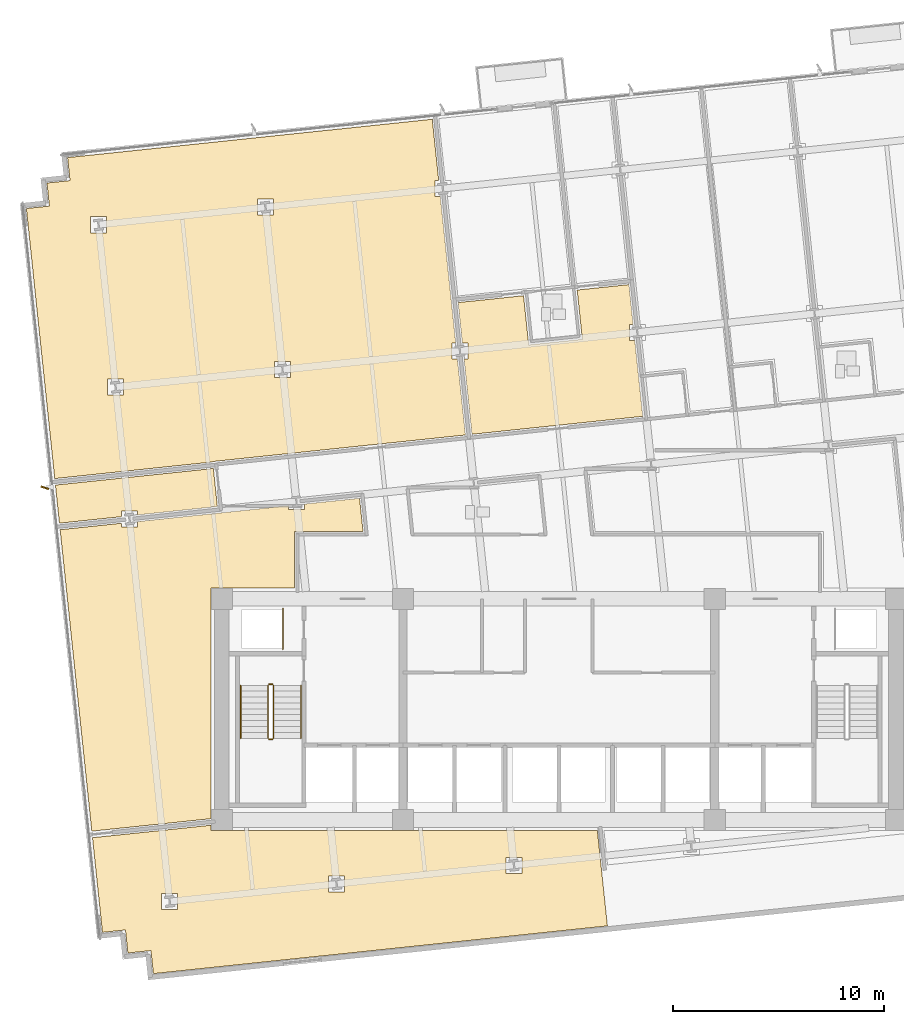
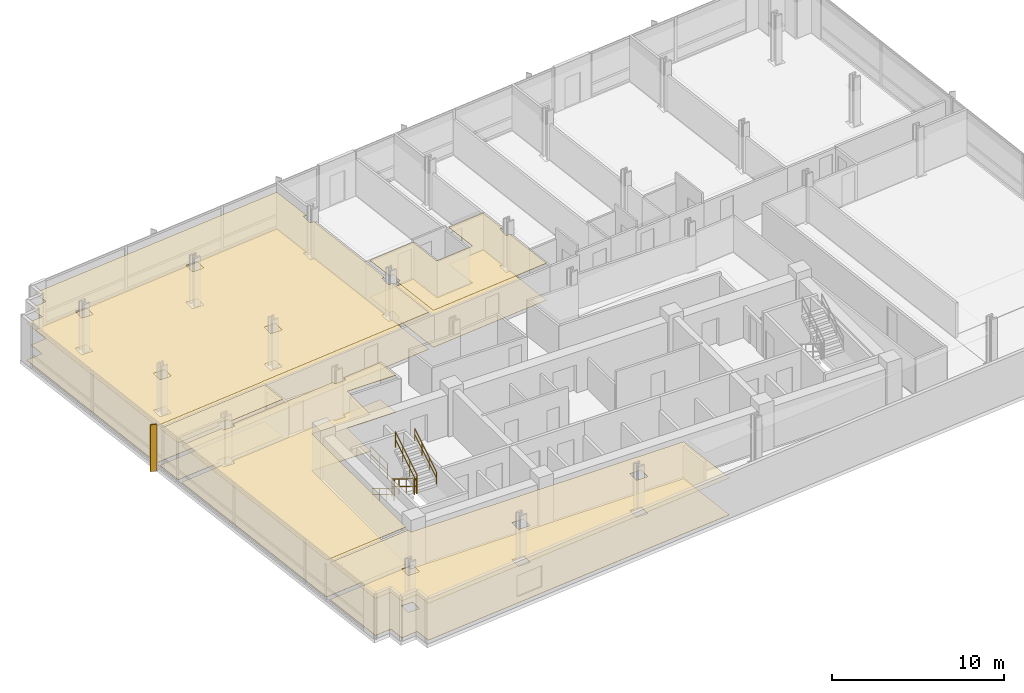
# One storey, part 14 of 17: 10 coverings, 7 railings, 1 shading device.
"""IFC4 building model written with IfcOpenShell, lengths in metres."""

from ifc_helpers import new_model, si_unit, direction, frame, origin, origin_2d, place, context, subcontext, project, spatial, polyline, rectangle, circle, outline, extrude, material, layer, layer_set, type_object, element, save


model = new_model("IFC4")

# Units and contexts
model_context = context("Model", 3, precision=1e-05, world=origin(), true_north=direction((0.0, 1.0)))
body_context = subcontext(model_context, "Body", "Model", "MODEL_VIEW")
ifc_project = project(units=[si_unit("LENGTHUNIT", "METRE"), si_unit("AREAUNIT", "SQUARE_METRE"), si_unit("VOLUMEUNIT", "CUBIC_METRE"), si_unit("PLANEANGLEUNIT", "RADIAN"), si_unit("MASSUNIT", "GRAM", prefix="KILO")], contexts=[model_context])

# Site, building, storey
site_placement = place(None, origin())
site = spatial("IfcSite", under=ifc_project, at=site_placement, CompositionType="ELEMENT")
building_placement = place(site_placement, origin())
building = spatial("IfcBuilding", under=site, at=building_placement, Name="Solmavex Isthmus Hotel", CompositionType="ELEMENT")
storey_placement = place(building_placement, frame((0.0, 0.0, 93.89990234375)))
storey = spatial("IfcBuildingStorey", under=building, at=storey_placement, Name="L25", CompositionType="ELEMENT", Elevation=93.89990234375)

# Coverings
ifc_material_1 = material(Name="Gypsum plasterboard lining", Category="gypsum")
ifc_layer_1 = layer(ifc_material_1, 0.030029296875)
ifc_layer_set_1 = layer_set([ifc_layer_1], Name="Gypsum plasterboard lining")
covering_type_1 = type_object("IfcCoveringType", Name="COV-CEIL-GYP", PredefinedType="CEILING", material=ifc_layer_set_1)
covering_1_placement = place(storey_placement, frame((0.0, 0.0, 2.6201171875)))
element("IfcCovering", 1, at=covering_1_placement, inside=storey, type_object=covering_type_1, Name="Suspended Acoustic Ceiling L25-RM01", PredefinedType="CEILING", context=body_context, shape_type="SweptSolid", body=[
    extrude(outline(polyline([(-16.43212890625, 3.99853515625), (-16.43408203125, 4.0185546875), (-4.434326171875, 5.27978515625), (-4.8134765625, 8.886962890625), (-5.077392578125, 8.886962890625), (-5.077392578125, 9.64697265625), (-4.893310546875, 9.64697265625), (-5.623779296875, 16.5966796875), (-5.8876953125, 16.5966796875), (-5.8876953125, 17.356689453125), (-5.70361328125, 17.356689453125), (-6.009521484375, 20.26708984375), (-22.49755859375, 18.5341796875), (-23.318115234375, 18.447998046875), (-23.203125, 17.35400390625), (-24.297119140625, 17.239013671875), (-24.18212890625, 16.14501953125), (-25.276123046875, 16.030029296875), (-25.18994140625, 15.20947265625), (-23.9287109375, 3.210693359375), (-16.43212890625, 3.99853515625)]), holes=[polyline([(-13.4970703125, 8.002197265625), (-13.4970703125, 8.76220703125), (-12.737060546875, 8.76220703125), (-12.737060546875, 8.002197265625), (-13.4970703125, 8.002197265625)]), polyline([(-14.307373046875, 16.4716796875), (-13.54736328125, 16.4716796875), (-13.54736328125, 15.711669921875), (-14.307373046875, 15.711669921875), (-14.307373046875, 16.4716796875)]), polyline([(-21.42138671875, 7.169189453125), (-21.42138671875, 7.92919921875), (-20.661376953125, 7.92919921875), (-20.661376953125, 7.169189453125), (-21.42138671875, 7.169189453125)]), polyline([(-22.231689453125, 14.878662109375), (-22.231689453125, 15.638671875), (-21.4716796875, 15.638671875), (-21.4716796875, 14.878662109375), (-22.231689453125, 14.878662109375)])]), origin(), (0.0, 0.0, 1.0), 0.030029296875),
])
covering_2_placement = place(storey_placement, frame((0.0, 0.0, 2.6201171875)))
element("IfcCovering", 2, at=covering_2_placement, inside=storey, type_object=covering_type_1, Name="Suspended Acoustic Ceiling L25-ST02-FY", PredefinedType="CEILING", context=body_context, shape_type="SweptSolid", body=[
    extrude(outline(polyline([(-4.58154296875, 9.64697265625), (-4.3173828125, 9.64697265625), (-4.3173828125, 8.886962890625), (-4.501708984375, 8.886962890625), (-4.1259765625, 5.31201171875), (-1.164306640625, 5.62353515625), (-0.57666015625, 5.68505859375), (3.9853515625, 6.16455078125), (3.606201171875, 9.77197265625), (3.34228515625, 9.77197265625), (3.34228515625, 10.531982421875), (3.5263671875, 10.531982421875), (3.328125, 12.418212890625), (0.86865234375, 12.15966796875), (1.1142578125, 9.822509765625), (-1.431640625, 9.554931640625), (-1.67724609375, 11.89208984375), (-4.783203125, 11.565673828125), (-4.58154296875, 9.64697265625)])), origin(), (0.0, 0.0, 1.0), 0.030029296875),
])
covering_3_placement = place(storey_placement, frame((0.0, 0.0, 2.6201171875)))
element("IfcCovering", 3, at=covering_3_placement, inside=storey, type_object=covering_type_1, Name="Suspended Acoustic Ceiling L25-FL09", PredefinedType="CEILING", context=body_context, shape_type="SweptSolid", body=[
    extrude(outline(polyline([(-16.20947265625, 1.88037109375), (-16.399658203125, 3.690185546875), (-23.896240234375, 2.90234375), (-23.7060546875, 1.09228515625), (-20.76318359375, 1.401611328125), (-20.76318359375, 1.665771484375), (-20.003173828125, 1.665771484375), (-20.003173828125, 1.4814453125), (-16.20947265625, 1.88037109375)])), origin(), (0.0, 0.0, 1.0), 0.030029296875),
])
covering_4_placement = place(storey_placement, frame((0.0, 0.0, 2.6201171875)))
element("IfcCovering", 4, at=covering_4_placement, inside=storey, type_object=covering_type_1, Name="Suspended Acoustic Ceiling L25-FL10", PredefinedType="CEILING", context=body_context, shape_type="SweptSolid", body=[
    extrude(outline(polyline([(-20.003173828125, 1.169921875), (-20.003173828125, 0.90576171875), (-20.76318359375, 0.90576171875), (-20.76318359375, 1.08984375), (-23.673583984375, 0.783935546875), (-22.780517578125, -7.714111328125), (-22.16943359375, -13.527099609375), (-16.5048828125, -12.931884765625), (-16.5048828125, -1.9951171875), (-12.554931640625, -1.9951171875), (-12.554931640625, 0.705078125), (-9.295654296875, 0.705078125), (-9.4609375, 2.27783203125), (-12.078857421875, 2.002685546875), (-12.078857421875, 1.738525390625), (-12.8388671875, 1.738525390625), (-12.8388671875, 1.9228515625), (-20.003173828125, 1.169921875)])), origin(), (0.0, 0.0, 1.0), 0.030029296875),
])
covering_5_placement = place(storey_placement, frame((0.0, 0.0, 2.6201171875)))
element("IfcCovering", 5, at=covering_5_placement, inside=storey, type_object=covering_type_1, Name="Suspended Acoustic Ceiling L25-FL11", PredefinedType="CEILING", context=body_context, shape_type="SweptSolid", body=[
    extrude(outline(polyline([(-18.42626953125, -20.202392578125), (-5.99462890625, -18.895751953125), (2.304443359375, -18.0234375), (2.019775390625, -15.3134765625), (1.82958984375, -13.5048828125), (-16.5048828125, -13.5048828125), (-16.5048828125, -13.243408203125), (-22.13720703125, -13.83544921875), (-21.7509765625, -17.51025390625), (-21.719482421875, -17.80859375), (-21.66455078125, -18.33056640625), (-20.57080078125, -18.2158203125), (-20.455810546875, -19.3095703125), (-19.36181640625, -19.194580078125), (-19.246826171875, -20.28857421875), (-18.42626953125, -20.202392578125)]), holes=[polyline([(-2.511474609375, -15.5263671875), (-2.511474609375, -14.766357421875), (-1.75146484375, -14.766357421875), (-1.75146484375, -15.5263671875), (-2.511474609375, -15.5263671875)]), polyline([(-10.93115234375, -16.411376953125), (-10.93115234375, -15.6513671875), (-10.171142578125, -15.6513671875), (-10.171142578125, -16.411376953125), (-10.93115234375, -16.411376953125)]), polyline([(-18.85546875, -17.244384765625), (-18.85546875, -16.484375), (-18.095458984375, -16.484375), (-18.095458984375, -17.244384765625), (-18.85546875, -17.244384765625)])]), origin(), (0.0, 0.0, 1.0), 0.030029296875),
])
ifc_material_2 = material(Name="Travertine natural stone", Category="masonry")
ifc_layer_2 = layer(ifc_material_2, 0.02490234375)
ifc_layer_set_2 = layer_set([ifc_layer_2], Name="Travertine natural stone")
covering_type_2 = type_object("IfcCoveringType", Name="COV-FLOR-STN", PredefinedType="FLOORING", material=ifc_layer_set_2)
covering_6_placement = place(storey_placement, origin())
element("IfcCovering", 6, at=covering_6_placement, inside=storey, type_object=covering_type_2, Name="Stone and Timber Floor Finish L25-RM01", PredefinedType="FLOORING", context=body_context, shape_type="SweptSolid", body=[
    extrude(outline(polyline([(-16.43212890625, 3.99853515625), (-16.43408203125, 4.0185546875), (-4.434326171875, 5.27978515625), (-4.8134765625, 8.886962890625), (-5.077392578125, 8.886962890625), (-5.077392578125, 9.64697265625), (-4.893310546875, 9.64697265625), (-5.623779296875, 16.5966796875), (-5.8876953125, 16.5966796875), (-5.8876953125, 17.356689453125), (-5.70361328125, 17.356689453125), (-6.009521484375, 20.26708984375), (-22.49755859375, 18.5341796875), (-23.318115234375, 18.447998046875), (-23.203125, 17.35400390625), (-24.297119140625, 17.239013671875), (-24.18212890625, 16.14501953125), (-25.276123046875, 16.030029296875), (-25.18994140625, 15.20947265625), (-23.9287109375, 3.210693359375), (-16.43212890625, 3.99853515625)]), holes=[polyline([(-13.4970703125, 8.002197265625), (-13.4970703125, 8.76220703125), (-12.737060546875, 8.76220703125), (-12.737060546875, 8.002197265625), (-13.4970703125, 8.002197265625)]), polyline([(-14.307373046875, 16.4716796875), (-13.54736328125, 16.4716796875), (-13.54736328125, 15.711669921875), (-14.307373046875, 15.711669921875), (-14.307373046875, 16.4716796875)]), polyline([(-21.42138671875, 7.169189453125), (-21.42138671875, 7.92919921875), (-20.661376953125, 7.92919921875), (-20.661376953125, 7.169189453125), (-21.42138671875, 7.169189453125)]), polyline([(-22.231689453125, 14.878662109375), (-22.231689453125, 15.638671875), (-21.4716796875, 15.638671875), (-21.4716796875, 14.878662109375), (-22.231689453125, 14.878662109375)])]), origin(), (0.0, 0.0, 1.0), 0.025146484375),
])
covering_7_placement = place(storey_placement, origin())
element("IfcCovering", 7, at=covering_7_placement, inside=storey, type_object=covering_type_2, Name="Stone and Timber Floor Finish L25-ST02-FY", PredefinedType="FLOORING", context=body_context, shape_type="SweptSolid", body=[
    extrude(outline(polyline([(-4.58154296875, 9.64697265625), (-4.3173828125, 9.64697265625), (-4.3173828125, 8.886962890625), (-4.501708984375, 8.886962890625), (-4.1259765625, 5.31201171875), (-1.164306640625, 5.62353515625), (-0.57666015625, 5.68505859375), (3.9853515625, 6.16455078125), (3.606201171875, 9.77197265625), (3.34228515625, 9.77197265625), (3.34228515625, 10.531982421875), (3.5263671875, 10.531982421875), (3.328125, 12.418212890625), (0.86865234375, 12.15966796875), (1.1142578125, 9.822509765625), (-1.431640625, 9.554931640625), (-1.67724609375, 11.89208984375), (-4.783203125, 11.565673828125), (-4.58154296875, 9.64697265625)])), origin(), (0.0, 0.0, 1.0), 0.025146484375),
])
covering_8_placement = place(storey_placement, origin())
element("IfcCovering", 8, at=covering_8_placement, inside=storey, type_object=covering_type_2, Name="Stone and Timber Floor Finish L25-FL09", PredefinedType="FLOORING", context=body_context, shape_type="SweptSolid", body=[
    extrude(outline(polyline([(-16.20947265625, 1.88037109375), (-16.399658203125, 3.690185546875), (-23.896240234375, 2.90234375), (-23.7060546875, 1.09228515625), (-20.76318359375, 1.401611328125), (-20.76318359375, 1.665771484375), (-20.003173828125, 1.665771484375), (-20.003173828125, 1.4814453125), (-16.20947265625, 1.88037109375)])), origin(), (0.0, 0.0, 1.0), 0.025146484375),
])
covering_9_placement = place(storey_placement, origin())
element("IfcCovering", 9, at=covering_9_placement, inside=storey, type_object=covering_type_2, Name="Stone and Timber Floor Finish L25-FL10", PredefinedType="FLOORING", context=body_context, shape_type="SweptSolid", body=[
    extrude(outline(polyline([(-20.003173828125, 1.169921875), (-20.003173828125, 0.90576171875), (-20.76318359375, 0.90576171875), (-20.76318359375, 1.08984375), (-23.673583984375, 0.783935546875), (-22.780517578125, -7.714111328125), (-22.16943359375, -13.527099609375), (-16.5048828125, -12.931884765625), (-16.5048828125, -1.9951171875), (-12.554931640625, -1.9951171875), (-12.554931640625, 0.705078125), (-9.295654296875, 0.705078125), (-9.4609375, 2.27783203125), (-12.078857421875, 2.002685546875), (-12.078857421875, 1.738525390625), (-12.8388671875, 1.738525390625), (-12.8388671875, 1.9228515625), (-20.003173828125, 1.169921875)])), origin(), (0.0, 0.0, 1.0), 0.025146484375),
])
covering_10_placement = place(storey_placement, origin())
element("IfcCovering", 10, at=covering_10_placement, inside=storey, type_object=covering_type_2, Name="Stone and Timber Floor Finish L25-FL11", PredefinedType="FLOORING", context=body_context, shape_type="SweptSolid", body=[
    extrude(outline(polyline([(-18.42626953125, -20.202392578125), (-5.99462890625, -18.895751953125), (2.304443359375, -18.0234375), (2.019775390625, -15.3134765625), (1.82958984375, -13.5048828125), (-16.5048828125, -13.5048828125), (-16.5048828125, -13.243408203125), (-22.13720703125, -13.83544921875), (-21.7509765625, -17.51025390625), (-21.719482421875, -17.80859375), (-21.66455078125, -18.33056640625), (-20.57080078125, -18.2158203125), (-20.455810546875, -19.3095703125), (-19.36181640625, -19.194580078125), (-19.246826171875, -20.28857421875), (-18.42626953125, -20.202392578125)]), holes=[polyline([(-2.511474609375, -15.5263671875), (-2.511474609375, -14.766357421875), (-1.75146484375, -14.766357421875), (-1.75146484375, -15.5263671875), (-2.511474609375, -15.5263671875)]), polyline([(-10.93115234375, -16.411376953125), (-10.93115234375, -15.6513671875), (-10.171142578125, -15.6513671875), (-10.171142578125, -16.411376953125), (-10.93115234375, -16.411376953125)]), polyline([(-18.85546875, -17.244384765625), (-18.85546875, -16.484375), (-18.095458984375, -16.484375), (-18.095458984375, -17.244384765625), (-18.85546875, -17.244384765625)])]), origin(), (0.0, 0.0, 1.0), 0.025146484375),
])

# Railings
ifc_material_3 = material(Name="Clear low-E laminated glass", Category="glass")
ifc_layer_3 = layer(ifc_material_3, 0.080078125)
ifc_layer_set_3 = layer_set([ifc_layer_3], Name="Clear low-E laminated glass")
railing_type_1 = type_object("IfcRailingType", Name="RAIL-ATRIUM-1120", PredefinedType="BALUSTRADE", material=ifc_layer_set_3)
railing_1_placement = place(storey_placement, frame((-13.10009765625, -4.89990234375, 0.0)))
element("IfcRailing", 11, at=railing_1_placement, inside=storey, type_object=railing_type_1, Name="Guardrail Balustrade L25-RSW-01", PredefinedType="BALUSTRADE", context=body_context, shape_type="SweptSolid", body=[
    extrude(circle(Radius=0.02392578125, at=origin_2d()), frame((0.0, 0.0, 1.1259765625), z_axis=(0.0, 1.0, 0.0), x_axis=(-1.0, 0.0, 0.0)), (0.0, 0.0, 1.0), 1.949951171875),
    extrude(circle(Radius=0.02392578125, at=origin_2d()), frame((0.0, 0.0, 0.574951171875), z_axis=(0.0, 1.0, 0.0), x_axis=(-1.0, 0.0, 0.0)), (0.0, 0.0, 1.0), 1.949951171875),
    extrude(circle(Radius=0.02099609375, at=origin_2d()), origin(), (0.0, 0.0, 1.0), 1.101806640625),
    extrude(circle(Radius=0.02099609375, at=origin_2d()), frame((0.0, 0.97509765625, 0.0)), (0.0, 0.0, 1.0), 1.101806640625),
    extrude(circle(Radius=0.02099609375, at=origin_2d()), frame((0.0, 1.949951171875, 0.0)), (0.0, 0.0, 1.0), 1.101806640625),
])
ifc_material_4 = material(Name="Stainless steel 316", Category="steel")
ifc_layer_4 = layer(ifc_material_4, 0.06005859375)
ifc_layer_set_4 = layer_set([ifc_layer_4], Name="Stainless steel 316")
railing_type_2 = type_object("IfcRailingType", Name="RAIL-STAIR-GD", PredefinedType="GUARDRAIL", material=ifc_layer_set_4)
railing_2_placement = place(storey_placement, frame((-13.800048828125, -6.60009765625, 0.172607421875)))
element("IfcRailing", 12, at=railing_2_placement, inside=storey, type_object=railing_type_2, Name="L25 ST-1 stair guard 1", PredefinedType="GUARDRAIL", context=body_context, shape_type="SweptSolid", body=[
    extrude(circle(Radius=0.02392578125, at=origin_2d()), frame((0.0, 0.0, 1.09619140625), z_axis=(0.0, -0.851400495292, 0.524516154772), x_axis=(1.0, 0.0, 0.0)), (0.0, 0.0, 1.0), 2.9599609375),
    extrude(circle(Radius=0.02392578125, at=origin_2d()), frame((0.0, 0.0, 0.56005859375), z_axis=(0.0, -0.851400495292, 0.524516154772), x_axis=(1.0, 0.0, 0.0)), (0.0, 0.0, 1.0), 2.9599609375),
    extrude(circle(Radius=0.02099609375, at=origin_2d()), origin(), (0.0, 0.0, 1.0), 1.072021484375),
    extrude(circle(Radius=0.02099609375, at=origin_2d()), frame((0.0, -0.840087890625, 0.517578125)), (0.0, 0.0, 1.0), 1.072021484375),
    extrude(circle(Radius=0.02099609375, at=origin_2d()), frame((0.0, -1.679931640625, 1.034912109375)), (0.0, 0.0, 1.0), 1.072021484375),
    extrude(circle(Radius=0.02099609375, at=origin_2d()), frame((0.0, -2.52001953125, 1.552490234375)), (0.0, 0.0, 1.0), 1.072021484375),
])
railing_3_placement = place(storey_placement, frame((-13.75, -9.169921875, 1.72509765625)))
element("IfcRailing", 13, at=railing_3_placement, inside=storey, type_object=railing_type_2, Name="L25 ST-1 stair guard 2", PredefinedType="GUARDRAIL", context=body_context, shape_type="SweptSolid", body=[
    extrude(circle(Radius=0.02392578125, at=origin_2d()), frame((0.0, 0.0, 1.09619140625), z_axis=(1.0, 0.0, 0.0), x_axis=(0.0, 1.0, 0.0)), (0.0, 0.0, 1.0), 0.14990234375),
    extrude(circle(Radius=0.02392578125, at=origin_2d()), frame((0.0, 0.0, 0.56005859375), z_axis=(1.0, 0.0, 0.0), x_axis=(0.0, 1.0, 0.0)), (0.0, 0.0, 1.0), 0.14990234375),
    extrude(circle(Radius=0.02099609375, at=origin_2d()), origin(), (0.0, 0.0, 1.0), 1.072021484375),
    extrude(circle(Radius=0.02099609375, at=origin_2d()), frame((0.14990234375, 0.0, 0.0)), (0.0, 0.0, 1.0), 1.072021484375),
])
railing_4_placement = place(storey_placement, frame((-13.550048828125, -9.1201171875, 1.897705078125)))
element("IfcRailing", 14, at=railing_4_placement, inside=storey, type_object=railing_type_2, Name="L25 ST-1 stair guard 3", PredefinedType="GUARDRAIL", context=body_context, shape_type="SweptSolid", body=[
    extrude(circle(Radius=0.02392578125, at=origin_2d()), frame((0.0, 0.0, 1.09619140625), z_axis=(0.0, 0.851400495292, 0.524516154772), x_axis=(-1.0, 0.0, 0.0)), (0.0, 0.0, 1.0), 2.9599609375),
    extrude(circle(Radius=0.02392578125, at=origin_2d()), frame((0.0, 0.0, 0.56005859375), z_axis=(0.0, 0.851400495292, 0.524516154772), x_axis=(-1.0, 0.0, 0.0)), (0.0, 0.0, 1.0), 2.9599609375),
    extrude(circle(Radius=0.02099609375, at=origin_2d()), origin(), (0.0, 0.0, 1.0), 1.072021484375),
    extrude(circle(Radius=0.02099609375, at=origin_2d()), frame((0.0, 0.840087890625, 0.517578125)), (0.0, 0.0, 1.0), 1.072021484375),
    extrude(circle(Radius=0.02099609375, at=origin_2d()), frame((0.0, 1.679931640625, 1.034912109375)), (0.0, 0.0, 1.0), 1.072021484375),
    extrude(circle(Radius=0.02099609375, at=origin_2d()), frame((0.0, 2.52001953125, 1.552490234375)), (0.0, 0.0, 1.0), 1.072021484375),
])
railing_5_placement = place(storey_placement, frame((-13.75, -6.550048828125, 0.0)))
element("IfcRailing", 15, at=railing_5_placement, inside=storey, type_object=railing_type_2, Name="L25 ST-1 stair guard 4", PredefinedType="GUARDRAIL", context=body_context, shape_type="SweptSolid", body=[
    extrude(circle(Radius=0.02392578125, at=origin_2d()), frame((0.0, 0.0, 1.09619140625), z_axis=(1.0, 0.0, 0.0), x_axis=(0.0, 1.0, 0.0)), (0.0, 0.0, 1.0), 0.14990234375),
    extrude(circle(Radius=0.02392578125, at=origin_2d()), frame((0.0, 0.0, 0.56005859375), z_axis=(1.0, 0.0, 0.0), x_axis=(0.0, 1.0, 0.0)), (0.0, 0.0, 1.0), 0.14990234375),
    extrude(circle(Radius=0.02099609375, at=origin_2d()), origin(), (0.0, 0.0, 1.0), 1.072021484375),
    extrude(circle(Radius=0.02099609375, at=origin_2d()), frame((0.14990234375, 0.0, 0.0)), (0.0, 0.0, 1.0), 1.072021484375),
])
ifc_layer_5 = layer(ifc_material_4, 0.050048828125)
ifc_layer_set_5 = layer_set([ifc_layer_5], Name="Stainless steel 316")
railing_type_3 = type_object("IfcRailingType", Name="RAIL-STAIR-HR", PredefinedType="HANDRAIL", material=ifc_layer_set_5)
railing_6_placement = place(storey_placement, frame((-15.10009765625, -6.60009765625, 0.172607421875)))
element("IfcRailing", 16, at=railing_6_placement, inside=storey, type_object=railing_type_3, Name="L25 ST-1 stair handrail 1", PredefinedType="HANDRAIL", context=body_context, shape_type="SweptSolid", body=[
    extrude(circle(Radius=0.02392578125, at=origin_2d()), frame((0.0, 0.0, 0.8759765625), z_axis=(0.0, -0.851400495292, 0.524516154772), x_axis=(1.0, 0.0, 0.0)), (0.0, 0.0, 1.0), 2.9599609375),
    extrude(circle(Radius=0.02392578125, at=origin_2d()), frame((0.0, 0.0, 0.449951171875), z_axis=(0.0, -0.851400495292, 0.524516154772), x_axis=(1.0, 0.0, 0.0)), (0.0, 0.0, 1.0), 2.9599609375),
    extrude(circle(Radius=0.02099609375, at=origin_2d()), origin(), (0.0, 0.0, 1.0), 0.851806640625),
    extrude(circle(Radius=0.02099609375, at=origin_2d()), frame((0.0, -0.840087890625, 0.517578125)), (0.0, 0.0, 1.0), 0.851806640625),
    extrude(circle(Radius=0.02099609375, at=origin_2d()), frame((0.0, -1.679931640625, 1.034912109375)), (0.0, 0.0, 1.0), 0.851806640625),
    extrude(circle(Radius=0.02099609375, at=origin_2d()), frame((0.0, -2.52001953125, 1.552490234375)), (0.0, 0.0, 1.0), 0.851806640625),
])
railing_7_placement = place(storey_placement, frame((-12.25, -9.1201171875, 1.897705078125)))
element("IfcRailing", 17, at=railing_7_placement, inside=storey, type_object=railing_type_3, Name="L25 ST-1 stair handrail 2", PredefinedType="HANDRAIL", context=body_context, shape_type="SweptSolid", body=[
    extrude(circle(Radius=0.02392578125, at=origin_2d()), frame((0.0, 0.0, 0.8759765625), z_axis=(0.0, 0.851400495292, 0.524516154772), x_axis=(-1.0, 0.0, 0.0)), (0.0, 0.0, 1.0), 2.9599609375),
    extrude(circle(Radius=0.02392578125, at=origin_2d()), frame((0.0, 0.0, 0.449951171875), z_axis=(0.0, 0.851400495292, 0.524516154772), x_axis=(-1.0, 0.0, 0.0)), (0.0, 0.0, 1.0), 2.9599609375),
    extrude(circle(Radius=0.02099609375, at=origin_2d()), origin(), (0.0, 0.0, 1.0), 0.851806640625),
    extrude(circle(Radius=0.02099609375, at=origin_2d()), frame((0.0, 0.840087890625, 0.517578125)), (0.0, 0.0, 1.0), 0.851806640625),
    extrude(circle(Radius=0.02099609375, at=origin_2d()), frame((0.0, 1.679931640625, 1.034912109375)), (0.0, 0.0, 1.0), 0.851806640625),
    extrude(circle(Radius=0.02099609375, at=origin_2d()), frame((0.0, 2.52001953125, 1.552490234375)), (0.0, 0.0, 1.0), 0.851806640625),
])

# Shading device
ifc_material_5 = material(Name="Aluminium alloy 6063-T6", Category="aluminium")
shading_device_type = type_object("IfcShadingDeviceType", Name="SHD-FIN-CHAMP", PredefinedType="USERDEFINED", material=ifc_material_5)
shading_device_placement = place(storey_placement, frame((-24.400634765625, 2.77392578125, -0.139892578125), z_axis=(0.0, 0.0, 1.0), x_axis=(-0.951056516295, 0.309016994375, 0.0)))
element("IfcShadingDevice", 18, at=shading_device_placement, inside=storey, type_object=shading_device_type, Name="Anodised Aluminium Solar Fin L25-W1", ObjectType="SOLAR_FIN", PredefinedType="USERDEFINED", context=body_context, shape_type="SweptSolid", body=[
    extrude(rectangle(XDim=0.3798828125, YDim=0.070068359375, at=origin_2d()), origin(), (0.0, 0.0, 1.0), 3.330078125),
])

save(model, "model.ifc")
